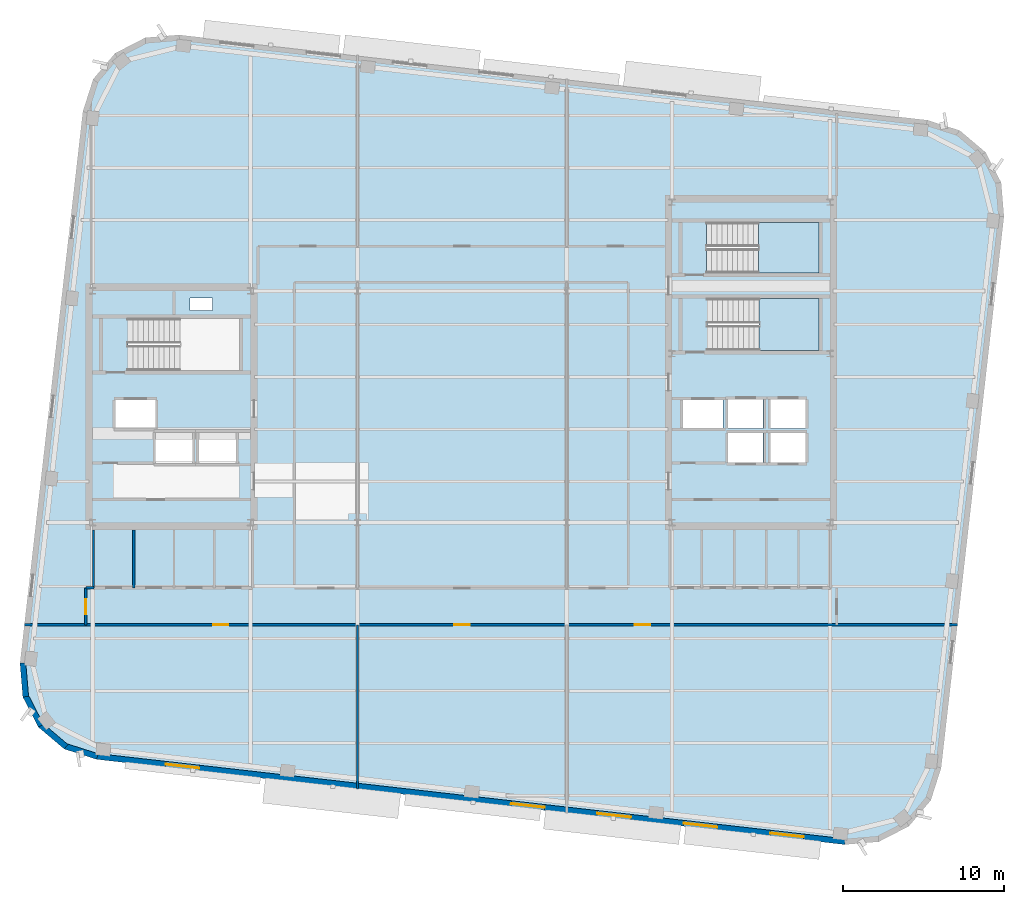
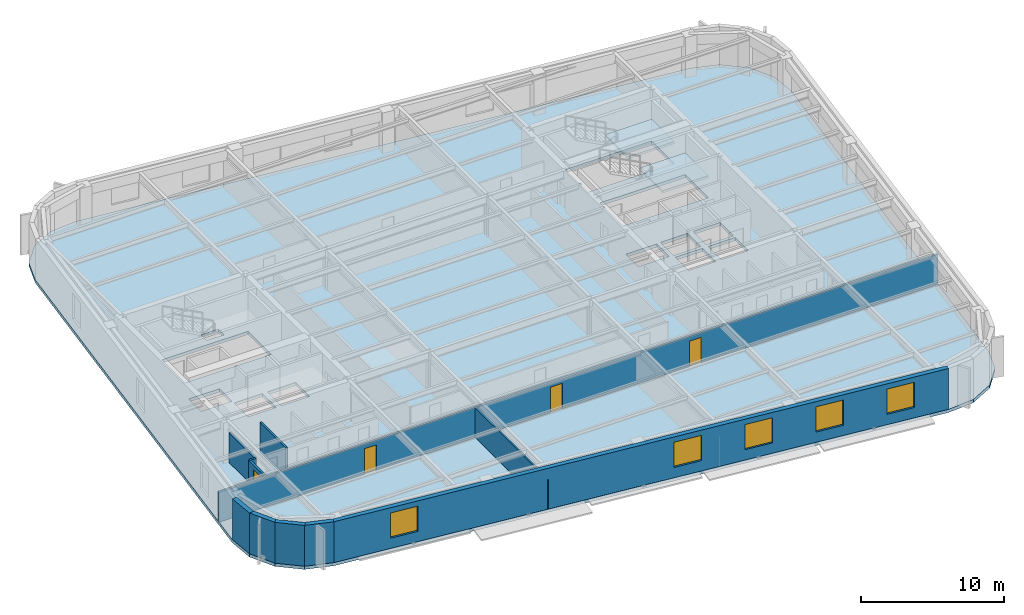
# One storey, part 5 of 14: 11 walls, 5 windows, 4 doors, 3 slabs, 9 openings, 2 elements without a shape of their own.
"""IFC4 building model written with IfcOpenShell, lengths in metres."""

from ifc_helpers import new_model, si_unit, direction, frame, frame_2d, origin, place, context, subcontext, project, spatial, polyline, rectangle, outline, extrude, material, layer, layer_set, type_object, element, fill, aggregate, save


model = new_model("IFC4")

# Units and contexts
model_context = context("Model", 3, precision=1e-05, world=origin(), true_north=direction((0.0, 1.0)))
body_context = subcontext(model_context, "Body", "Model", "MODEL_VIEW")
ifc_project = project(units=[si_unit("LENGTHUNIT", "METRE"), si_unit("AREAUNIT", "SQUARE_METRE"), si_unit("VOLUMEUNIT", "CUBIC_METRE"), si_unit("PLANEANGLEUNIT", "RADIAN"), si_unit("MASSUNIT", "GRAM", prefix="KILO")], contexts=[model_context])

# Site, building, storey
site_placement = place(None, origin())
site = spatial("IfcSite", under=ifc_project, at=site_placement, CompositionType="ELEMENT")
building_placement = place(site_placement, origin())
building = spatial("IfcBuilding", under=site, at=building_placement, Name="Kolvaren Arena Tower", CompositionType="ELEMENT")
storey_placement = place(building_placement, frame((0.0, 0.0, 235.949951171875)))
storey = spatial("IfcBuildingStorey", under=building, at=storey_placement, Name="L57", CompositionType="ELEMENT", Elevation=235.949951171875)

# Stair, slab
ifc_material_1 = material(Name="Concrete 45 MPa", Category="concrete")
stair_type_1 = type_object("IfcStairType", Name="STAIR-CORE-165", PredefinedType="HALF_TURN_STAIR", material=ifc_material_1)
stair_1_placement = place(storey_placement, origin())
stair_1 = element("IfcStair", 1, at=stair_1_placement, inside=storey, type_object=stair_type_1, Name="L57 ST-E1", PredefinedType="HALF_TURN_STAIR")
ifc_layer_1 = layer(ifc_material_1, 0.199951171875)
ifc_layer_set_1 = layer_set([ifc_layer_1], Name="Concrete 45 MPa")
slab_type_1 = type_object("IfcSlabType", Name="SLAB-LAND", PredefinedType="LANDING", material=ifc_layer_set_1)
slab_1_placement = place(storey_placement, frame((0.0, 0.0, 1.675048828125)))
slab_1 = element("IfcSlab", 2, at=slab_1_placement, type_object=slab_type_1, Name="ST-E1 landing 1", PredefinedType="LANDING", context=body_context, shape_type="SweptSolid", body=[
    extrude(outline(polyline([(55.9599609375, 30.14990234375), (59.659912109375, 30.14990234375), (59.659912109375, 33.3798828125), (55.9599609375, 33.3798828125), (55.9599609375, 30.14990234375)])), origin(), (0.0, 0.0, 1.0), 0.199951171875),
])
aggregate(stair_1, [slab_1])

stair_type_2 = type_object("IfcStairType", Name="STAIR-CORE-150", PredefinedType="HALF_TURN_STAIR", material=ifc_material_1)
stair_2_placement = place(storey_placement, origin())
stair_2 = element("IfcStair", 3, at=stair_2_placement, inside=storey, type_object=stair_type_2, Name="L57 ST-E2", PredefinedType="HALF_TURN_STAIR")
slab_2_placement = place(storey_placement, frame((0.0, 0.0, 1.675048828125)))
slab_2 = element("IfcSlab", 4, at=slab_2_placement, type_object=slab_type_1, Name="ST-E2 landing 1", PredefinedType="LANDING", context=body_context, shape_type="SweptSolid", body=[
    extrude(outline(polyline([(55.919921875, 34.949951171875), (59.659912109375, 34.949951171875), (59.659912109375, 38.10009765625), (55.919921875, 38.10009765625), (55.919921875, 34.949951171875)])), origin(), (0.0, 0.0, 1.0), 0.199951171875),
])
aggregate(stair_2, [slab_2])

# Slab
ifc_layer_2 = layer(ifc_material_1, 0.27001953125)
ifc_layer_set_2 = layer_set([ifc_layer_2], Name="Concrete 45 MPa")
slab_type_2 = type_object("IfcSlabType", Name="SLAB-OFF2", PredefinedType="FLOOR", material=ifc_layer_set_2)
slab_3_placement = place(storey_placement, frame((0.0, 0.0, -0.27001953125)))
element("IfcSlab", 5, at=slab_3_placement, inside=storey, type_object=slab_type_2, Name="L57 Primary Structural Slab", PredefinedType="FLOOR", context=body_context, shape_type="SweptSolid", body=[
    extrude(outline(polyline([(61.285400390625, -0.553466796875), (63.38525390625, -0.37890625), (65.25830078125, 0.585693359375), (66.619873046875, 2.194091796875), (67.26220703125, 4.20068359375), (71.16748046875, 38.47900390625), (70.9931640625, 40.57861328125), (70.0283203125, 42.45166015625), (68.42041015625, 43.81298828125), (66.41357421875, 44.455322265625), (19.91455078125, 49.75341796875), (17.814697265625, 49.578857421875), (15.941650390625, 48.6142578125), (14.580078125, 47.006103515625), (13.93798828125, 44.99951171875), (10.032470703125, 10.72119140625), (10.206787109375, 8.621337890625), (11.171630859375, 6.748291015625), (12.77978515625, 5.386962890625), (14.786376953125, 4.74462890625), (61.285400390625, -0.553466796875)]), holes=[polyline([(20.739990234375, 23.135009765625), (18.4599609375, 23.135009765625), (18.4599609375, 25.06494140625), (20.739990234375, 25.06494140625), (20.739990234375, 23.135009765625)]), polyline([(21.159912109375, 23.135009765625), (21.159912109375, 25.06494140625), (23.43994140625, 25.06494140625), (23.43994140625, 23.135009765625), (21.159912109375, 23.135009765625)]), polyline([(56.2099609375, 23.18505859375), (54.030029296875, 23.18505859375), (54.030029296875, 25.014892578125), (56.2099609375, 25.014892578125), (56.2099609375, 23.18505859375)]), polyline([(56.669921875, 23.18505859375), (56.669921875, 25.014892578125), (58.85009765625, 25.014892578125), (58.85009765625, 23.18505859375), (56.669921875, 23.18505859375)]), polyline([(54.030029296875, 25.284912109375), (54.030029296875, 27.114990234375), (56.2099609375, 27.114990234375), (56.2099609375, 25.284912109375), (54.030029296875, 25.284912109375)]), polyline([(58.85009765625, 25.284912109375), (56.669921875, 25.284912109375), (56.669921875, 27.114990234375), (58.85009765625, 27.114990234375), (58.85009765625, 25.284912109375)]), polyline([(15.9599609375, 25.3349609375), (15.9599609375, 27.06494140625), (18.43994140625, 27.06494140625), (18.43994140625, 25.3349609375), (15.9599609375, 25.3349609375)]), polyline([(53.699951171875, 25.3349609375), (51.219970703125, 25.3349609375), (51.219970703125, 27.06494140625), (53.699951171875, 27.06494140625), (53.699951171875, 25.3349609375)]), polyline([(16.735107421875, 28.89990234375), (16.735107421875, 32.1298828125), (23.659912109375, 32.1298828125), (23.659912109375, 28.89990234375), (16.735107421875, 28.89990234375)]), polyline([(52.735107421875, 30.14990234375), (52.735107421875, 33.3798828125), (59.659912109375, 33.3798828125), (59.659912109375, 30.14990234375), (52.735107421875, 30.14990234375)]), polyline([(20.60009765625, 32.6201171875), (20.60009765625, 33.39990234375), (22.0, 33.39990234375), (22.0, 32.6201171875), (20.60009765625, 32.6201171875)]), polyline([(52.695068359375, 34.949951171875), (52.695068359375, 38.10009765625), (59.659912109375, 38.10009765625), (59.659912109375, 34.949951171875), (52.695068359375, 34.949951171875)])]), origin(), (0.0, 0.0, 1.0), 0.27001953125),
])

# Wall, openings, doors
ifc_material_2 = material(Name="Gypsum board acoustic assembly", Category="gypsum")
ifc_layer_3 = layer(ifc_material_2, 0.159912109375)
ifc_layer_set_3 = layer_set([ifc_layer_3], Name="Gypsum board acoustic assembly")
wall_type_1 = type_object("IfcWallType", Name="CORR-160", PredefinedType="PARTITIONING", material=ifc_layer_set_3)
wall_1_placement = place(storey_placement, frame((10.303466796875, 13.10009765625, 0.0), z_axis=(0.0, 0.0, 1.0), x_axis=(1.0, 0.0, 0.0)))
wall_1 = element("IfcWall", 6, at=wall_1_placement, inside=storey, type_object=wall_type_1, Name="Interior Partition Wall (L57)", PredefinedType="PARTITIONING", context=body_context, shape_type="SweptSolid", body=[
    extrude(rectangle(XDim=57.97265625, YDim=0.159912109375, at=frame_2d((28.986328125, 0.0))), origin(), (0.0, 0.0, 1.0), 2.5400390625),
])
opening_1_placement = place(wall_1_placement, frame((11.7216796875, 0.0, 0.0)))
opening_1 = element("IfcOpeningElement", 7, at=opening_1_placement, cuts=wall_1, Name="Opening D05", PredefinedType="OPENING", context=body_context, shape_type="SweptSolid", body=[
    extrude(rectangle(XDim=0.949951171875, YDim=2.14990234375, at=frame_2d((0.47509765625, 1.074951171875))), frame((0.0, 0.08984375, 0.0), z_axis=(0.0, -1.0, 0.0), x_axis=(1.0, 0.0, 0.0)), (0.0, 0.0, 1.0), 0.179931640625),
])
opening_2_placement = place(wall_1_placement, frame((26.7216796875, 0.0, 0.0)))
opening_2 = element("IfcOpeningElement", 8, at=opening_2_placement, cuts=wall_1, Name="Opening D05", PredefinedType="OPENING", context=body_context, shape_type="SweptSolid", body=[
    extrude(rectangle(XDim=0.949951171875, YDim=2.14990234375, at=frame_2d((0.47509765625, 1.074951171875))), frame((0.0, 0.08984375, 0.0), z_axis=(0.0, -1.0, 0.0), x_axis=(1.0, 0.0, 0.0)), (0.0, 0.0, 1.0), 0.179931640625),
])
opening_3_placement = place(wall_1_placement, frame((37.921630859375, 0.0, 0.0)))
opening_3 = element("IfcOpeningElement", 9, at=opening_3_placement, cuts=wall_1, Name="Opening D05", PredefinedType="OPENING", context=body_context, shape_type="SweptSolid", body=[
    extrude(rectangle(XDim=0.949951171875, YDim=2.14990234375, at=frame_2d((0.47509765625, 1.074951171875))), frame((0.0, 0.08984375, 0.0), z_axis=(0.0, -1.0, 0.0), x_axis=(1.0, 0.0, 0.0)), (0.0, 0.0, 1.0), 0.179931640625),
])
ifc_material_3 = material(Name="Solid-core oak acoustic office door", Category="wood")
door_type = type_object("IfcDoorType", Name="DOOR-OF-095", OperationType="NOTDEFINED", PredefinedType="DOOR", material=ifc_material_3)
door_1_placement = place(opening_1_placement, origin())
door_1 = element("IfcDoor", 10, at=door_1_placement, inside=storey, type_object=door_type, Name="Open Plan Office Door (L57)", OperationType="SINGLE_SWING_LEFT", OverallHeight=2.14990234375, OverallWidth=0.949951171875, PredefinedType="DOOR", context=body_context, shape_type="SweptSolid", body=[
    extrude(rectangle(XDim=0.949951171875, YDim=2.14990234375, at=frame_2d((0.47509765625, 1.074951171875))), frame((0.0, 0.02490234375, 0.0), z_axis=(0.0, -1.0, 0.0), x_axis=(1.0, 0.0, 0.0)), (0.0, 0.0, 1.0), 0.050048828125),
])
fill(opening_1, door_1)
door_2_placement = place(opening_2_placement, origin())
door_2 = element("IfcDoor", 11, at=door_2_placement, inside=storey, type_object=door_type, Name="Open Plan Office Door (L57)", OperationType="SINGLE_SWING_RIGHT", OverallHeight=2.14990234375, OverallWidth=0.949951171875, PredefinedType="DOOR", context=body_context, shape_type="SweptSolid", body=[
    extrude(rectangle(XDim=0.949951171875, YDim=2.14990234375, at=frame_2d((0.47509765625, 1.074951171875))), frame((0.0, 0.02490234375, 0.0), z_axis=(0.0, -1.0, 0.0), x_axis=(1.0, 0.0, 0.0)), (0.0, 0.0, 1.0), 0.050048828125),
])
fill(opening_2, door_2)
door_3_placement = place(opening_3_placement, origin())
door_3 = element("IfcDoor", 12, at=door_3_placement, inside=storey, type_object=door_type, Name="Collaborative Work Studio Door (L57)", OperationType="SINGLE_SWING_LEFT", OverallHeight=2.14990234375, OverallWidth=0.949951171875, PredefinedType="DOOR", context=body_context, shape_type="SweptSolid", body=[
    extrude(rectangle(XDim=0.949951171875, YDim=2.14990234375, at=frame_2d((0.47509765625, 1.074951171875))), frame((0.0, 0.02490234375, 0.0), z_axis=(0.0, -1.0, 0.0), x_axis=(1.0, 0.0, 0.0)), (0.0, 0.0, 1.0), 0.050048828125),
])
fill(opening_3, door_3)

# Wall, opening, door
wall_2_placement = place(storey_placement, frame((14.1201171875, 13.10009765625, 0.0), z_axis=(0.0, 0.0, 1.0), x_axis=(0.0, 1.0, 0.0)))
wall_2 = element("IfcWall", 13, at=wall_2_placement, inside=storey, type_object=wall_type_1, Name="Interior Partition Wall (L57)", PredefinedType="PARTITIONING", context=body_context, shape_type="SweptSolid", body=[
    extrude(rectangle(XDim=2.2998046875, YDim=0.159912109375, at=frame_2d((1.14990234375, 0.0))), origin(), (0.0, 0.0, 1.0), 2.5400390625),
])
opening_4_placement = place(wall_2_placement, frame((0.64990234375, 0.0, 0.0)))
opening_4 = element("IfcOpeningElement", 14, at=opening_4_placement, cuts=wall_2, Name="Opening D05", PredefinedType="OPENING", context=body_context, shape_type="SweptSolid", body=[
    extrude(rectangle(XDim=0.949951171875, YDim=2.14990234375, at=frame_2d((0.47509765625, 1.074951171875))), frame((0.0, 0.08984375, 0.0), z_axis=(0.0, -1.0, 0.0), x_axis=(1.0, 0.0, 0.0)), (0.0, 0.0, 1.0), 0.179931640625),
])
door_4_placement = place(opening_4_placement, origin())
door_4 = element("IfcDoor", 15, at=door_4_placement, inside=storey, type_object=door_type, Name="West Wing Office Door (L57)", OperationType="SINGLE_SWING_LEFT", OverallHeight=2.14990234375, OverallWidth=0.949951171875, PredefinedType="DOOR", context=body_context, shape_type="SweptSolid", body=[
    extrude(rectangle(XDim=0.949951171875, YDim=2.14990234375, at=frame_2d((0.47509765625, 1.074951171875))), frame((0.0, 0.02490234375, 0.0), z_axis=(0.0, -1.0, 0.0), x_axis=(1.0, 0.0, 0.0)), (0.0, 0.0, 1.0), 0.050048828125),
])
fill(opening_4, door_4)

# Walls
wall_3_placement = place(storey_placement, frame((14.1201171875, 15.39990234375, 0.0), z_axis=(0.0, 0.0, 1.0), x_axis=(1.0, 0.0, 0.0)))
element("IfcWall", 16, at=wall_3_placement, inside=storey, type_object=wall_type_1, Name="Interior Partition Wall (L57)", PredefinedType="PARTITIONING", context=body_context, shape_type="SweptSolid", body=[
    extrude(rectangle(XDim=0.5, YDim=0.159912109375, at=frame_2d((0.25, 0.0))), origin(), (0.0, 0.0, 1.0), 2.5400390625),
])
ifc_material_4 = material(Name="Precast concrete C50/60", Category="concrete")
ifc_layer_4 = layer(ifc_material_4, 0.360107421875)
ifc_layer_set_4 = layer_set([ifc_layer_4], Name="Precast concrete C50/60")
wall_type_2 = type_object("IfcWallType", Name="EXT-PIER2", PredefinedType="SOLIDWALL", material=ifc_layer_set_4)
wall_4_placement = place(storey_placement, frame((10.38623046875, 8.63623046875, 0.0), z_axis=(0.0, 0.0, 1.0), x_axis=(-0.082729038891, 0.996572077737, 0.0)))
element("IfcWall", 17, at=wall_4_placement, inside=storey, type_object=wall_type_2, Name="Exterior Precast Masonry-Frame Wall (L57)", PredefinedType="SOLIDWALL", context=body_context, shape_type="SweptSolid", body=[
    extrude(rectangle(XDim=2.107177734375, YDim=0.360107421875, at=frame_2d((1.0537109375, 0.0))), origin(), (0.0, 0.0, 1.0), 3.47998046875),
])
for number, where, z_axis, x_axis, name in (
    (18, (11.33154296875, 6.830810546875, 0.0), (0.0, 0.0, 1.0), (-0.457934390142, 0.888985992199, 0.0), "Exterior Precast Masonry-Frame Wall (L57)"),
    (19, (12.89599609375, 5.5244140625, 0.0), (0.0, 0.0, 1.0), (-0.763250018691, 0.646103249464, 0.0), "Exterior Precast Masonry-Frame Wall (L57)"),
    (20, (14.84130859375, 4.916015625, 0.0), (0.0, 0.0, 1.0), (-0.952393196904, 0.304872429864, 0.0), "Exterior Precast Masonry-Frame Wall (L57)"),
):
    element("IfcWall", number, at=place(storey_placement, frame(where, z_axis=z_axis, x_axis=x_axis)), inside=storey, type_object=wall_type_2, Name=name, PredefinedType="SOLIDWALL", context=body_context, shape_type="SweptSolid", body=[
        extrude(rectangle(XDim=2.10693359375, YDim=0.360107421875, at=frame_2d((1.053466796875, 0.0))), origin(), (0.0, 0.0, 1.0), 3.47998046875),
    ])

# Wall, openings, windows
wall_5_placement = place(storey_placement, frame((61.305908203125, -0.37451171875, 0.0), z_axis=(0.0, 0.0, 1.0), x_axis=(-0.993571958919, 0.113202307616, 0.0)))
wall_5 = element("IfcWall", 21, at=wall_5_placement, inside=storey, type_object=wall_type_2, Name="Exterior Precast Masonry-Frame Wall (L57)", PredefinedType="SOLIDWALL", context=body_context, shape_type="SweptSolid", body=[
    extrude(rectangle(XDim=46.7998046875, YDim=0.360107421875, at=frame_2d((23.39990234375, 0.0))), origin(), (0.0, 0.0, 1.0), 3.47998046875),
])
opening_5_placement = place(wall_5_placement, frame((2.60009765625, 0.0, 0.8798828125)))
opening_5 = element("IfcOpeningElement", 22, at=opening_5_placement, cuts=wall_5, Name="Opening W01", PredefinedType="OPENING", context=body_context, shape_type="SweptSolid", body=[
    extrude(rectangle(XDim=2.10009765625, YDim=2.14990234375, at=frame_2d((1.050048828125, 1.074951171875))), frame((0.0, 0.18994140625, 0.0), z_axis=(0.0, -1.0, 0.0), x_axis=(1.0, 0.0, 0.0)), (0.0, 0.0, 1.0), 0.380126953125),
])
opening_6_placement = place(wall_5_placement, frame((8.0, 0.0, 0.8798828125)))
opening_6 = element("IfcOpeningElement", 23, at=opening_6_placement, cuts=wall_5, Name="Opening W01", PredefinedType="OPENING", context=body_context, shape_type="SweptSolid", body=[
    extrude(rectangle(XDim=2.10009765625, YDim=2.14990234375, at=frame_2d((1.050048828125, 1.074951171875))), frame((0.0, 0.18994140625, 0.0), z_axis=(0.0, -1.0, 0.0), x_axis=(1.0, 0.0, 0.0)), (0.0, 0.0, 1.0), 0.380126953125),
])
opening_7_placement = place(wall_5_placement, frame((13.39990234375, 0.0, 0.8798828125)))
opening_7 = element("IfcOpeningElement", 24, at=opening_7_placement, cuts=wall_5, Name="Opening W01", PredefinedType="OPENING", context=body_context, shape_type="SweptSolid", body=[
    extrude(rectangle(XDim=2.10009765625, YDim=2.14990234375, at=frame_2d((1.050048828125, 1.074951171875))), frame((0.0, 0.18994140625, 0.0), z_axis=(0.0, -1.0, 0.0), x_axis=(1.0, 0.0, 0.0)), (0.0, 0.0, 1.0), 0.380126953125),
])
opening_8_placement = place(wall_5_placement, frame((18.800048828125, 0.0, 0.8798828125)))
opening_8 = element("IfcOpeningElement", 25, at=opening_8_placement, cuts=wall_5, Name="Opening W01", PredefinedType="OPENING", context=body_context, shape_type="SweptSolid", body=[
    extrude(rectangle(XDim=2.10009765625, YDim=2.14990234375, at=frame_2d((1.050048828125, 1.074951171875))), frame((0.0, 0.18994140625, 0.0), z_axis=(0.0, -1.0, 0.0), x_axis=(1.0, 0.0, 0.0)), (0.0, 0.0, 1.0), 0.380126953125),
])
opening_9_placement = place(wall_5_placement, frame((40.39990234375, 0.0, 0.8798828125)))
opening_9 = element("IfcOpeningElement", 26, at=opening_9_placement, cuts=wall_5, Name="Opening W01", PredefinedType="OPENING", context=body_context, shape_type="SweptSolid", body=[
    extrude(rectangle(XDim=2.10009765625, YDim=2.14990234375, at=frame_2d((1.050048828125, 1.074951171875))), frame((0.0, 0.18994140625, 0.0), z_axis=(0.0, -1.0, 0.0), x_axis=(1.0, 0.0, 0.0)), (0.0, 0.0, 1.0), 0.380126953125),
])
ifc_material_5 = material(Name="Triple-glazed low-E aluminium window", Category="aluminium")
window_type = type_object("IfcWindowType", Name="WIN-OFF-A", PartitioningType="DOUBLE_PANEL_VERTICAL", PredefinedType="WINDOW", material=ifc_material_5)
window_1_placement = place(opening_5_placement, origin())
window_1 = element("IfcWindow", 27, at=window_1_placement, inside=storey, type_object=window_type, Name="Punched Precast-Pier Window (L57)", OverallHeight=2.14990234375, OverallWidth=2.10009765625, PartitioningType="DOUBLE_PANEL_VERTICAL", PredefinedType="WINDOW", context=body_context, shape_type="SweptSolid", body=[
    extrude(rectangle(XDim=2.10009765625, YDim=2.14990234375, at=frame_2d((1.050048828125, 1.074951171875))), frame((0.0, 0.030029296875, 0.0), z_axis=(0.0, -1.0, 0.0), x_axis=(1.0, 0.0, 0.0)), (0.0, 0.0, 1.0), 0.06005859375),
])
fill(opening_5, window_1)
window_2_placement = place(opening_6_placement, origin())
window_2 = element("IfcWindow", 28, at=window_2_placement, inside=storey, type_object=window_type, Name="Punched Precast-Pier Window (L57)", OverallHeight=2.14990234375, OverallWidth=2.10009765625, PartitioningType="DOUBLE_PANEL_VERTICAL", PredefinedType="WINDOW", context=body_context, shape_type="SweptSolid", body=[
    extrude(rectangle(XDim=2.10009765625, YDim=2.14990234375, at=frame_2d((1.050048828125, 1.074951171875))), frame((0.0, 0.030029296875, 0.0), z_axis=(0.0, -1.0, 0.0), x_axis=(1.0, 0.0, 0.0)), (0.0, 0.0, 1.0), 0.06005859375),
])
fill(opening_6, window_2)
window_3_placement = place(opening_7_placement, origin())
window_3 = element("IfcWindow", 29, at=window_3_placement, inside=storey, type_object=window_type, Name="Punched Precast-Pier Window (L57)", OverallHeight=2.14990234375, OverallWidth=2.10009765625, PartitioningType="DOUBLE_PANEL_VERTICAL", PredefinedType="WINDOW", context=body_context, shape_type="SweptSolid", body=[
    extrude(rectangle(XDim=2.10009765625, YDim=2.14990234375, at=frame_2d((1.050048828125, 1.074951171875))), frame((0.0, 0.030029296875, 0.0), z_axis=(0.0, -1.0, 0.0), x_axis=(1.0, 0.0, 0.0)), (0.0, 0.0, 1.0), 0.06005859375),
])
fill(opening_7, window_3)
window_4_placement = place(opening_8_placement, origin())
window_4 = element("IfcWindow", 30, at=window_4_placement, inside=storey, type_object=window_type, Name="Punched Precast-Pier Window (L57)", OverallHeight=2.14990234375, OverallWidth=2.10009765625, PartitioningType="DOUBLE_PANEL_VERTICAL", PredefinedType="WINDOW", context=body_context, shape_type="SweptSolid", body=[
    extrude(rectangle(XDim=2.10009765625, YDim=2.14990234375, at=frame_2d((1.050048828125, 1.074951171875))), frame((0.0, 0.030029296875, 0.0), z_axis=(0.0, -1.0, 0.0), x_axis=(1.0, 0.0, 0.0)), (0.0, 0.0, 1.0), 0.06005859375),
])
fill(opening_8, window_4)
window_5_placement = place(opening_9_placement, origin())
window_5 = element("IfcWindow", 31, at=window_5_placement, inside=storey, type_object=window_type, Name="Punched Precast-Pier Window (L57)", OverallHeight=2.14990234375, OverallWidth=2.10009765625, PartitioningType="DOUBLE_PANEL_VERTICAL", PredefinedType="WINDOW", context=body_context, shape_type="SweptSolid", body=[
    extrude(rectangle(XDim=2.10009765625, YDim=2.14990234375, at=frame_2d((1.050048828125, 1.074951171875))), frame((0.0, 0.030029296875, 0.0), z_axis=(0.0, -1.0, 0.0), x_axis=(1.0, 0.0, 0.0)), (0.0, 0.0, 1.0), 0.06005859375),
])
fill(opening_9, window_5)

# Walls
ifc_material_6 = material(Name="Gypsum board partition assembly", Category="gypsum")
ifc_layer_5 = layer(ifc_material_6, 0.135009765625)
ifc_layer_set_5 = layer_set([ifc_layer_5], Name="Gypsum board partition assembly")
wall_type_3 = type_object("IfcWallType", Name="PART-135", PredefinedType="PARTITIONING", material=ifc_layer_set_5)
wall_6_placement = place(storey_placement, frame((31.0, 2.897216796875, 0.0), z_axis=(0.0, 0.0, 1.0), x_axis=(0.0, 1.0, 0.0)))
element("IfcWall", 32, at=wall_6_placement, inside=storey, type_object=wall_type_3, Name="Interior Partition Wall (L57)", PredefinedType="PARTITIONING", context=body_context, shape_type="SweptSolid", body=[
    extrude(rectangle(XDim=10.202880859375, YDim=0.135009765625, at=frame_2d((5.1015625, 0.0))), origin(), (0.0, 0.0, 1.0), 2.5400390625),
])
ifc_material_7 = material(Name="Moisture-resistant gypsum assembly", Category="gypsum")
ifc_layer_6 = layer(ifc_material_7, 0.14990234375)
ifc_layer_set_6 = layer_set([ifc_layer_6], Name="Moisture-resistant gypsum assembly")
wall_type_4 = type_object("IfcWallType", Name="WETW-150", PredefinedType="PARTITIONING", material=ifc_layer_set_6)
for number, where, z_axis, x_axis, name in (
    (33, (17.10009765625, 15.39990234375, 0.0), (0.0, 0.0, 1.0), (0.0, 1.0, 0.0), "Interior Partition Wall (L57)"),
    (34, (14.60009765625, 15.39990234375, 0.0), (0.0, 0.0, 1.0), (0.0, 1.0, 0.0), "Interior Partition Wall (L57)"),
):
    element("IfcWall", number, at=place(storey_placement, frame(where, z_axis=z_axis, x_axis=x_axis)), inside=storey, type_object=wall_type_4, Name=name, PredefinedType="PARTITIONING", context=body_context, shape_type="SweptSolid", body=[
        extrude(rectangle(XDim=3.580078125, YDim=0.14990234375, at=frame_2d((1.7900390625, 0.0))), origin(), (0.0, 0.0, 1.0), 2.5400390625),
    ])

save(model, "model.ifc")
